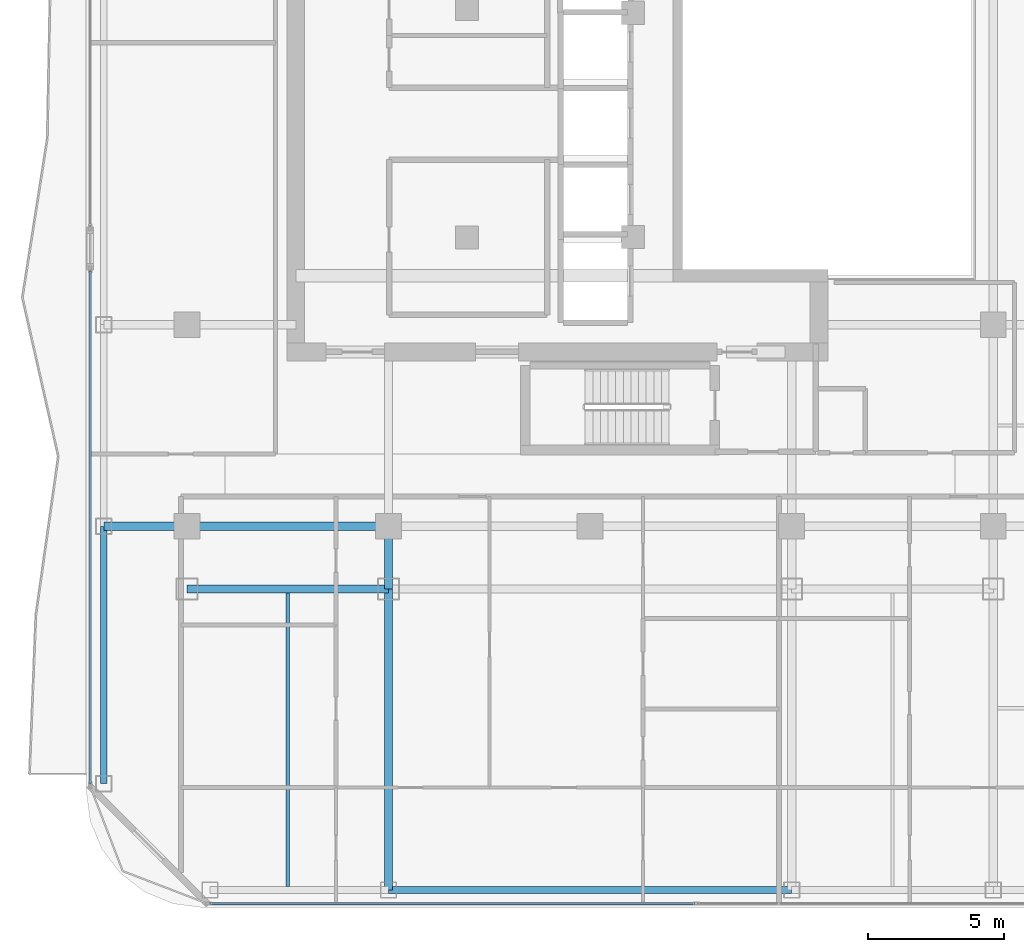
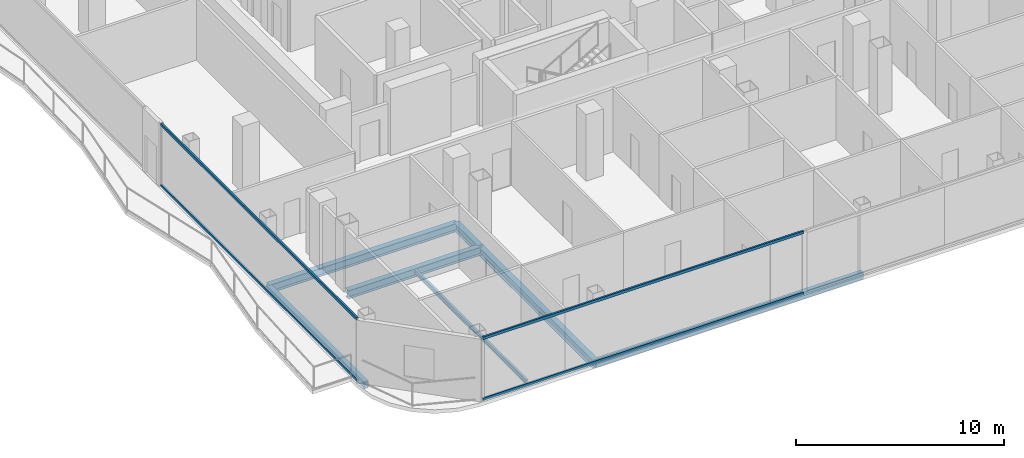
# One storey, part 3 of 27: 8 beams, 4 members, 2 elements without a shape of their own.
"""IFC4 building model written with IfcOpenShell, lengths in metres."""

from ifc_helpers import new_model, si_unit, direction, frame, origin, origin_2d, place, context, subcontext, project, spatial, hollow_rectangle, i_section, extrude, material, layer, layer_set, material_profile, profile_set, type_object, element, aggregate, save


model = new_model("IFC4")

# Units and contexts
model_context = context("Model", 3, precision=1e-05, world=origin(), true_north=direction((0.0, 1.0)))
body_context = subcontext(model_context, "Body", "Model", "MODEL_VIEW")
ifc_project = project(units=[si_unit("LENGTHUNIT", "METRE"), si_unit("AREAUNIT", "SQUARE_METRE"), si_unit("VOLUMEUNIT", "CUBIC_METRE"), si_unit("PLANEANGLEUNIT", "RADIAN"), si_unit("MASSUNIT", "GRAM", prefix="KILO")], contexts=[model_context])

# Site, building, storey
site_placement = place(None, origin())
site = spatial("IfcSite", under=ifc_project, at=site_placement, CompositionType="ELEMENT")
building_placement = place(site_placement, origin())
building = spatial("IfcBuilding", under=site, at=building_placement, Name="Khorvyn Point Tower", CompositionType="ELEMENT")
storey_placement = place(building_placement, frame((0.0, 0.0, 246.89990234375)))
storey = spatial("IfcBuildingStorey", under=building, at=storey_placement, Name="L60", CompositionType="ELEMENT", Elevation=246.89990234375)

# Curtain wall, members
ifc_material_1 = material(Name="Anodised aluminium 6063-T6 and laminated Low-E glass", Category="aluminium")
ifc_layer = layer(ifc_material_1, 0.18994140625)
ifc_layer_set = layer_set([ifc_layer], Name="Stick-Built Acoustic Curtain Wall CW-SYS-03")
curtain_wall_type = type_object("IfcCurtainWallType", Name="Stick-Built Acoustic Curtain Wall CW-SYS-03", PredefinedType="NOTDEFINED", material=ifc_layer_set)
curtain_wall_1_placement = place(storey_placement, origin())
curtain_wall_1 = element("IfcCurtainWall", 1, at=curtain_wall_1_placement, inside=storey, type_object=curtain_wall_type, Name="Curtain Wall", PredefinedType="NOTDEFINED")
ifc_material_2 = material(Name="Anodised aluminium 6063-T6", Category="aluminium")
ifc_material_profile_1 = material_profile(ifc_material_2, hollow_rectangle(XDim=0.10009765625, YDim=0.159912109375, WallThickness=0.00439453125, at=origin_2d()))
ifc_profile_set_1 = profile_set([ifc_material_profile_1], Name="Anodised aluminium 6063-T6 ALU-TRN-100x160")
member_type = type_object("IfcMemberType", Name="Anodised Aluminium 6063-T6 Transom ALU-TRN-100x160", PredefinedType="USERDEFINED", material=ifc_profile_set_1)
member_1_placement = place(storey_placement, frame((3.85009765625, -28.64990234375, 0.050048828125), z_axis=(-1.0, 0.0, 0.0), x_axis=(0.0, -1.0, 0.0)))
member_1 = element("IfcMember", 2, at=member_1_placement, type_object=member_type, Name="Transom", ObjectType="TRANSOM", PredefinedType="USERDEFINED", context=body_context, shape_type="SweptSolid", body=[
    extrude(hollow_rectangle(XDim=0.10009765625, YDim=0.159912109375, WallThickness=0.00439453125, at=origin_2d()), origin(), (0.0, 0.0, 1.0), 17.800048828125),
])
member_2_placement = place(storey_placement, frame((3.85009765625, -28.64990234375, 3.630126953125), z_axis=(-1.0, 0.0, 0.0), x_axis=(0.0, -1.0, 0.0)))
member_2 = element("IfcMember", 3, at=member_2_placement, type_object=member_type, Name="Transom", ObjectType="TRANSOM", PredefinedType="USERDEFINED", context=body_context, shape_type="SweptSolid", body=[
    extrude(hollow_rectangle(XDim=0.10009765625, YDim=0.159912109375, WallThickness=0.00439453125, at=origin_2d()), origin(), (0.0, 0.0, 1.0), 17.800048828125),
])
aggregate(curtain_wall_1, [member_1, member_2])

curtain_wall_2_placement = place(storey_placement, origin())
curtain_wall_2 = element("IfcCurtainWall", 4, at=curtain_wall_2_placement, inside=storey, type_object=curtain_wall_type, Name="Curtain Wall", PredefinedType="NOTDEFINED")
member_3_placement = place(storey_placement, frame((-18.35009765625, -24.25, 0.050048828125), z_axis=(0.0, 1.0, 0.0), x_axis=(-1.0, 0.0, 0.0)))
member_3 = element("IfcMember", 5, at=member_3_placement, type_object=member_type, Name="Transom", ObjectType="TRANSOM", PredefinedType="USERDEFINED", context=body_context, shape_type="SweptSolid", body=[
    extrude(hollow_rectangle(XDim=0.10009765625, YDim=0.159912109375, WallThickness=0.00439453125, at=origin_2d()), origin(), (0.0, 0.0, 1.0), 18.824951171875),
])
member_4_placement = place(storey_placement, frame((-18.35009765625, -24.25, 3.630126953125), z_axis=(0.0, 1.0, 0.0), x_axis=(-1.0, 0.0, 0.0)))
member_4 = element("IfcMember", 6, at=member_4_placement, type_object=member_type, Name="Transom", ObjectType="TRANSOM", PredefinedType="USERDEFINED", context=body_context, shape_type="SweptSolid", body=[
    extrude(hollow_rectangle(XDim=0.10009765625, YDim=0.159912109375, WallThickness=0.00439453125, at=origin_2d()), origin(), (0.0, 0.0, 1.0), 18.824951171875),
])
aggregate(curtain_wall_2, [member_3, member_4])

# Beams
ifc_material_3 = material(Name="Steel S355", Category="steel")
ifc_material_profile_2 = material_profile(ifc_material_3, i_section(OverallWidth=0.125, OverallDepth=0.25, WebThickness=0.006103515625, FlangeThickness=0.009033203125, at=origin_2d()))
ifc_profile_set_2 = profile_set([ifc_material_profile_2], Name="Steel S355 H250x125x6x9")
beam_type_1 = type_object("IfcBeamType", Name="Steel S355 Joist H250x125x6x9", PredefinedType="JOIST", material=ifc_profile_set_2)
beam_1_placement = place(storey_placement, frame((-11.10009765625, -28.02490234375, -0.344970703125), z_axis=(0.0, 1.0, 0.0), x_axis=(-1.0, 0.0, 0.0)))
element("IfcBeam", 7, at=beam_1_placement, inside=storey, type_object=beam_type_1, Name="Beam", PredefinedType="JOIST", context=body_context, shape_type="SweptSolid", body=[
    extrude(i_section(OverallWidth=0.125, OverallDepth=0.25, WebThickness=0.006103515625, FlangeThickness=0.009033203125, at=origin_2d()), origin(), (0.0, 0.0, 1.0), 10.77490234375),
])
ifc_material_profile_3 = material_profile(ifc_material_3, i_section(OverallWidth=0.300048828125, OverallDepth=0.488037109375, WebThickness=0.010986328125, FlangeThickness=0.01806640625, at=origin_2d()))
ifc_profile_set_3 = profile_set([ifc_material_profile_3], Name="Steel S355 H488x300x11x18")
beam_type_2 = type_object("IfcBeamType", Name="Steel S355 Spandrel H488x300x11x18", PredefinedType="SPANDREL", material=ifc_profile_set_3)
beam_2_placement = place(storey_placement, frame((-17.85009765625, -14.800048828125, -0.4638671875), z_axis=(1.0, 0.0, 0.0), x_axis=(0.0, 1.0, 0.0)))
element("IfcBeam", 8, at=beam_2_placement, inside=storey, type_object=beam_type_2, Name="Beam", PredefinedType="SPANDREL", context=body_context, shape_type="SweptSolid", body=[
    extrude(i_section(OverallWidth=0.300048828125, OverallDepth=0.488037109375, WebThickness=0.010986328125, FlangeThickness=0.01806640625, at=origin_2d()), origin(), (0.0, 0.0, 1.0), 3.050048828125),
])
for number, where, z_axis, x_axis, name in (
    (9, (-14.800048828125, -14.800048828125, -0.4638671875), (1.0, 0.0, 0.0), (0.0, 1.0, 0.0), "Beam"),
    (10, (-14.800048828125, -17.10009765625, -0.4638671875), (1.0, 0.0, 0.0), (0.0, 1.0, 0.0), "Beam"),
):
    element("IfcBeam", number, at=place(storey_placement, frame(where, z_axis=z_axis, x_axis=x_axis)), inside=storey, type_object=beam_type_2, Name=name, PredefinedType="SPANDREL", context=body_context, shape_type="SweptSolid", body=[
        extrude(i_section(OverallWidth=0.300048828125, OverallDepth=0.488037109375, WebThickness=0.010986328125, FlangeThickness=0.01806640625, at=origin_2d()), origin(), (0.0, 0.0, 1.0), 7.400146484375),
    ])
beam_3_placement = place(storey_placement, frame((-7.39990234375, -28.14990234375, -0.4638671875), z_axis=(0.0, 1.0, 0.0), x_axis=(-1.0, 0.0, 0.0)))
element("IfcBeam", 11, at=beam_3_placement, inside=storey, type_object=beam_type_2, Name="Beam", PredefinedType="SPANDREL", context=body_context, shape_type="SweptSolid", body=[
    extrude(i_section(OverallWidth=0.300048828125, OverallDepth=0.488037109375, WebThickness=0.010986328125, FlangeThickness=0.01806640625, at=origin_2d()), origin(), (0.0, 0.0, 1.0), 11.0498046875),
])
beam_4_placement = place(storey_placement, frame((-7.39990234375, -17.10009765625, -0.4638671875), z_axis=(0.0, 1.0, 0.0), x_axis=(-1.0, 0.0, 0.0)))
element("IfcBeam", 12, at=beam_4_placement, inside=storey, type_object=beam_type_2, Name="Beam", PredefinedType="SPANDREL", context=body_context, shape_type="SweptSolid", body=[
    extrude(i_section(OverallWidth=0.300048828125, OverallDepth=0.488037109375, WebThickness=0.010986328125, FlangeThickness=0.01806640625, at=origin_2d()), origin(), (0.0, 0.0, 1.0), 2.300048828125),
])
ifc_material_profile_4 = material_profile(ifc_material_3, hollow_rectangle(XDim=0.25, YDim=0.39990234375, WallThickness=0.01611328125, at=origin_2d()))
ifc_profile_set_4 = profile_set([ifc_material_profile_4], Name="Steel S355 RHS400x250x16")
beam_type_3 = type_object("IfcBeamType", Name="Steel S355 Spandrel RHS400x250x16", PredefinedType="SPANDREL", material=ifc_profile_set_4)
beam_5_placement = place(storey_placement, frame((-7.39990234375, -28.14990234375, -0.419921875), z_axis=(1.0, 0.0, 0.0), x_axis=(0.0, 1.0, 0.0)))
element("IfcBeam", 13, at=beam_5_placement, inside=storey, type_object=beam_type_3, Name="Beam", PredefinedType="SPANDREL", context=body_context, shape_type="SweptSolid", body=[
    extrude(hollow_rectangle(XDim=0.25, YDim=0.39990234375, WallThickness=0.01611328125, at=origin_2d()), origin(), (0.0, 0.0, 1.0), 14.7998046875),
])
beam_6_placement = place(storey_placement, frame((-17.85009765625, -24.25, -0.419921875), z_axis=(0.0, 1.0, 0.0), x_axis=(-1.0, 0.0, 0.0)))
element("IfcBeam", 14, at=beam_6_placement, inside=storey, type_object=beam_type_3, Name="Beam", PredefinedType="SPANDREL", context=body_context, shape_type="SweptSolid", body=[
    extrude(hollow_rectangle(XDim=0.25, YDim=0.39990234375, WallThickness=0.01611328125, at=origin_2d()), origin(), (0.0, 0.0, 1.0), 9.449951171875),
])

save(model, "model.ifc")
